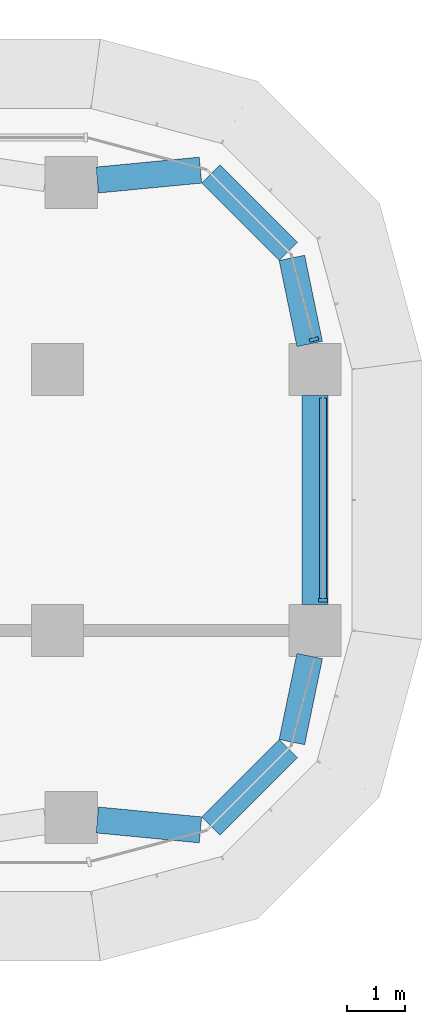
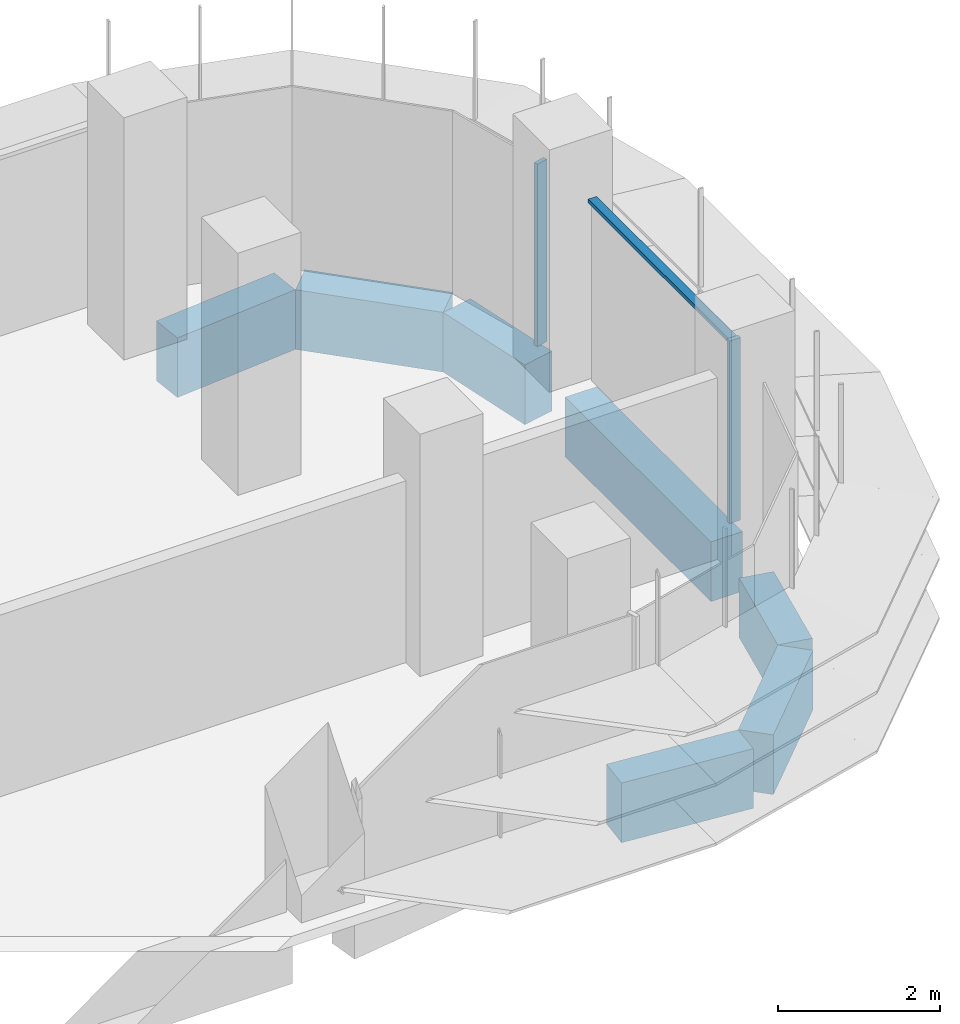
# One storey, part 11 of 23: 7 beams, 3 members, 2 elements without a shape of their own.
"""IFC4 building model written with IfcOpenShell, lengths in metres."""

from ifc_helpers import new_model, si_unit, direction, frame, origin, origin_2d, place, context, subcontext, project, spatial, polyline, rectangle, outline, extrude, source, transform, mapped, material, material_profile, profile_set, type_object, element, aggregate, save


model = new_model("IFC4")

# Units and contexts
model_context = context("Model", 3, precision=1e-05, world=origin(), true_north=direction((0.0, 1.0)))
body_context = subcontext(model_context, "Body", "Model", "MODEL_VIEW")
ifc_project = project(units=[si_unit("LENGTHUNIT", "METRE"), si_unit("AREAUNIT", "SQUARE_METRE"), si_unit("VOLUMEUNIT", "CUBIC_METRE"), si_unit("PLANEANGLEUNIT", "RADIAN"), si_unit("MASSUNIT", "GRAM", prefix="KILO")], contexts=[model_context])

# Site, building, storey
site_placement = place(None, origin())
site = spatial("IfcSite", under=ifc_project, at=site_placement, CompositionType="ELEMENT")
building_placement = place(site_placement, origin())
building = spatial("IfcBuilding", under=site, at=building_placement, Name="Zarbagh Exchange Tower", CompositionType="ELEMENT")
storey_placement = place(building_placement, frame((0.0, 0.0, 86.60009765625)))
storey = spatial("IfcBuildingStorey", under=building, at=storey_placement, Name="L19", CompositionType="ELEMENT", Elevation=86.60009765625)

# Beams
ifc_material_1 = material(Name="Concrete C60/75", Category="concrete")
ifc_material_profile = material_profile(ifc_material_1, rectangle(XDim=0.449951171875, YDim=0.89990234375, at=origin_2d()), Name="RC spandrel beam 450 x 900 C60/75")
ifc_profile_set = profile_set([ifc_material_profile], Name="Concrete C60/75")
beam_type = type_object("IfcBeamType", Name="RC spandrel beam 450 x 900 C60/75", PredefinedType="SPANDREL", material=ifc_profile_set)
beam_1_placement = place(storey_placement, frame((29.35595703125, 5.51806640625, -0.60009765625), z_axis=(0.995433267802, 0.095459988228, 0.0), x_axis=(-0.095459988228, 0.995433267802, 0.0)))
element("IfcBeam", 1, at=beam_1_placement, inside=storey, type_object=beam_type, Name="RC spandrel beam", PredefinedType="SPANDREL", context=body_context, shape_type="SweptSolid", body=[
    extrude(rectangle(XDim=0.449951171875, YDim=0.89990234375, at=origin_2d()), origin(), (0.0, 0.0, 1.0), 1.78759765625),
])
beam_2_placement = place(storey_placement, frame((31.316162109375, 5.623779296875, -0.60009765625), z_axis=(0.707106781187, -0.707106781187, 0.0), x_axis=(0.707106781187, 0.707106781187, 0.0)))
element("IfcBeam", 2, at=beam_2_placement, inside=storey, type_object=beam_type, Name="RC spandrel beam", PredefinedType="SPANDREL", context=body_context, shape_type="SweptSolid", body=[
    extrude(rectangle(XDim=0.449951171875, YDim=0.89990234375, at=origin_2d()), origin(), (0.0, 0.0, 1.0), 1.887939453125),
])
beam_3_placement = place(storey_placement, frame((32.71240234375, 4.17529296875, -0.60009765625), z_axis=(0.202275417995, -0.979328675816, 0.0), x_axis=(0.979328675816, 0.202275417995, 0.0)))
element("IfcBeam", 3, at=beam_3_placement, inside=storey, type_object=beam_type, Name="RC spandrel beam", PredefinedType="SPANDREL", context=body_context, shape_type="SweptSolid", body=[
    extrude(rectangle(XDim=0.449951171875, YDim=0.89990234375, at=origin_2d()), origin(), (0.0, 0.0, 1.0), 1.515869140625),
])
beam_4_placement = place(storey_placement, frame((33.110107421875, 1.800048828125, -0.60009765625), z_axis=(0.0, -1.0, 0.0), x_axis=(1.0, 0.0, 0.0)))
element("IfcBeam", 4, at=beam_4_placement, inside=storey, type_object=beam_type, Name="RC spandrel beam", PredefinedType="SPANDREL", context=body_context, shape_type="SweptSolid", body=[
    extrude(rectangle(XDim=0.449951171875, YDim=0.89990234375, at=origin_2d()), origin(), (0.0, 0.0, 1.0), 3.60009765625),
])
beam_5_placement = place(storey_placement, frame((33.01904296875, -2.690673828125, -0.60009765625), z_axis=(-0.202275417995, -0.979328675816, 0.0), x_axis=(0.979328675816, -0.202275417995, 0.0)))
element("IfcBeam", 5, at=beam_5_placement, inside=storey, type_object=beam_type, Name="RC spandrel beam", PredefinedType="SPANDREL", context=body_context, shape_type="SweptSolid", body=[
    extrude(rectangle(XDim=0.449951171875, YDim=0.89990234375, at=origin_2d()), origin(), (0.0, 0.0, 1.0), 1.515869140625),
])
beam_6_placement = place(storey_placement, frame((32.651123046875, -4.288818359375, -0.60009765625), z_axis=(-0.707106781187, -0.707106781187, 0.0), x_axis=(0.707106781187, -0.707106781187, 0.0)))
element("IfcBeam", 6, at=beam_6_placement, inside=storey, type_object=beam_type, Name="RC spandrel beam", PredefinedType="SPANDREL", context=body_context, shape_type="SweptSolid", body=[
    extrude(rectangle(XDim=0.449951171875, YDim=0.89990234375, at=origin_2d()), origin(), (0.0, 0.0, 1.0), 1.887939453125),
])
beam_7_placement = place(storey_placement, frame((31.135498046875, -5.688720703125, -0.60009765625), z_axis=(-0.995433267802, 0.095459988228, 0.0), x_axis=(-0.095459988228, -0.995433267802, 0.0)))
element("IfcBeam", 7, at=beam_7_placement, inside=storey, type_object=beam_type, Name="RC spandrel beam", PredefinedType="SPANDREL", context=body_context, shape_type="SweptSolid", body=[
    extrude(rectangle(XDim=0.449951171875, YDim=0.89990234375, at=origin_2d()), origin(), (0.0, 0.0, 1.0), 1.78759765625),
])

# Curtain wall, member
ifc_material_2 = material(Name="Anodised aluminium frame and glazing", Category="aluminium")
curtain_wall_type = type_object("IfcCurtainWallType", Name="CWA Ribbon glazing, lower zones", PredefinedType="NOTDEFINED", material=ifc_material_2)
curtain_wall_1_placement = place(storey_placement, origin())
curtain_wall_1 = element("IfcCurtainWall", 8, at=curtain_wall_1_placement, inside=storey, type_object=curtain_wall_type, Name="CWA12 curtain wall", PredefinedType="NOTDEFINED")
ifc_material_3 = material(Name="Anodised aluminium frame", Category="aluminium")
member_type_1 = type_object("IfcMemberType", Name="MUA Mullion, anodised aluminium frame", PredefinedType="MULLION", material=ifc_material_3)
shared_shape_1 = source(origin(), body_context, "Body", "SweptSolid", [
    extrude(outline(polyline([(0.0, -0.080078125), (0.06005859375, -0.080078125), (0.06005859375, 0.080078125), (0.0, 0.080078125), (0.0, -0.080078125)])), origin(), (0.0, 0.0, 1.0), 2.75),
])
placement = place(storey_placement, origin())
member_1 = element("IfcMember", 9, at=placement, type_object=member_type_1, Name="CWA12 mullion 1.1", PredefinedType="MULLION", context=body_context, shape_type="MappedRepresentation", body=[
    mapped(shared_shape_1, transform((33.25, -1.760009765625, 0.0), x_axis=(0.0, 1.0, 0.0), y_axis=(-1.0, 0.0, 0.0), z_axis=(0.0, 0.0, 1.0))),
])

curtain_wall_2_placement = place(storey_placement, origin())
curtain_wall_2 = element("IfcCurtainWall", 10, at=curtain_wall_2_placement, inside=storey, type_object=curtain_wall_type, Name="CWA13 curtain wall", PredefinedType="NOTDEFINED")
member_2 = element("IfcMember", 11, at=placement, type_object=member_type_1, Name="CWA13 mullion 1.1", PredefinedType="MULLION", context=body_context, shape_type="MappedRepresentation", body=[
    mapped(shared_shape_1, transform((33.10107421875, 2.739990234375, 0.0), x_axis=(-0.258824779902, 0.965924289636, 0.0), y_axis=(-0.965924289636, -0.258824779902, 0.0), z_axis=(0.0, 0.0, 1.0))),
])
aggregate(curtain_wall_2, [member_2])

# Member
member_type_2 = type_object("IfcMemberType", Name="TRA Transom, anodised aluminium frame", PredefinedType="USERDEFINED", material=ifc_material_3)
shared_shape_2 = source(origin(), body_context, "Body", "SweptSolid", [
    extrude(outline(polyline([(-0.06005859375, -0.06005859375), (0.0, -0.06005859375), (0.0, 0.06005859375), (-0.06005859375, 0.06005859375), (-0.06005859375, -0.06005859375)])), origin(), (0.0, 0.0, 1.0), 3.4599609375),
])
member_3 = element("IfcMember", 12, at=placement, type_object=member_type_2, Name="CWA12 transom 1.1", ObjectType="TRANSOM", PredefinedType="USERDEFINED", context=body_context, shape_type="MappedRepresentation", body=[
    mapped(shared_shape_2, transform((33.25, -1.699951171875, 2.75), x_axis=(0.0, 0.0, 1.0), y_axis=(1.0, 0.0, 0.0), z_axis=(0.0, 1.0, 0.0))),
])

aggregate(curtain_wall_1, [member_1, member_3])

save(model, "model.ifc")
